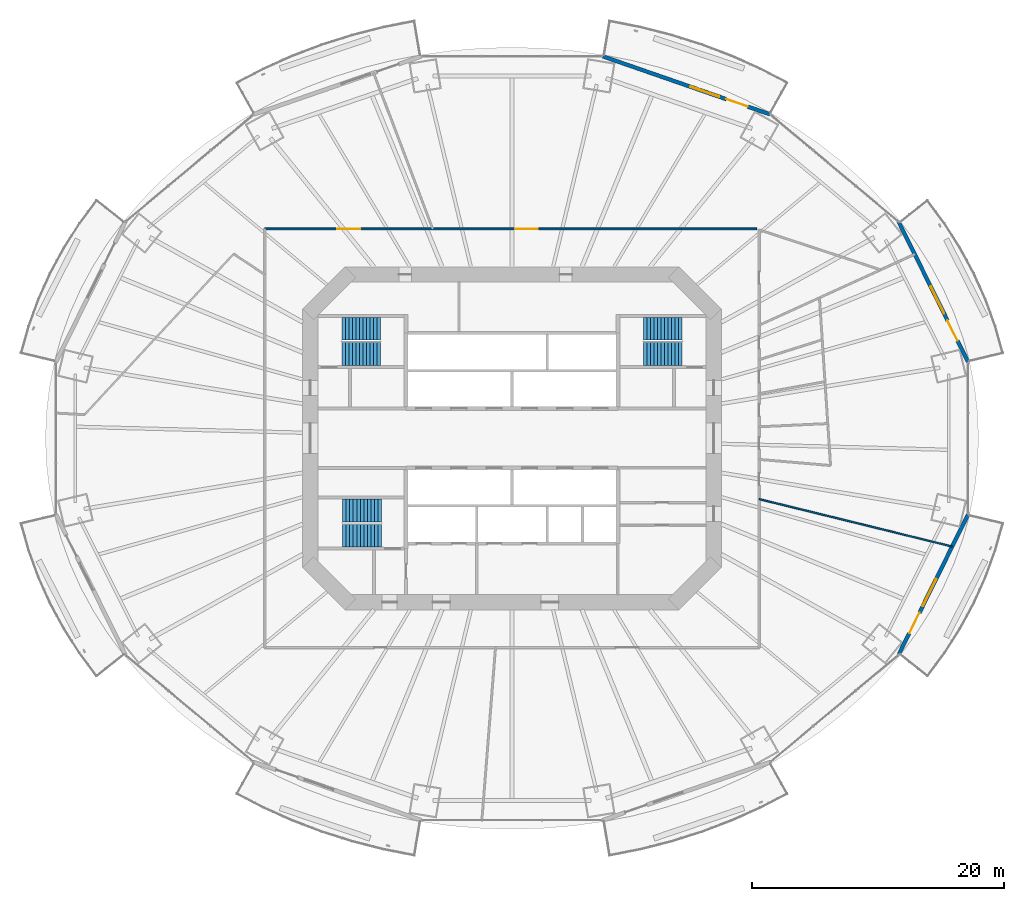
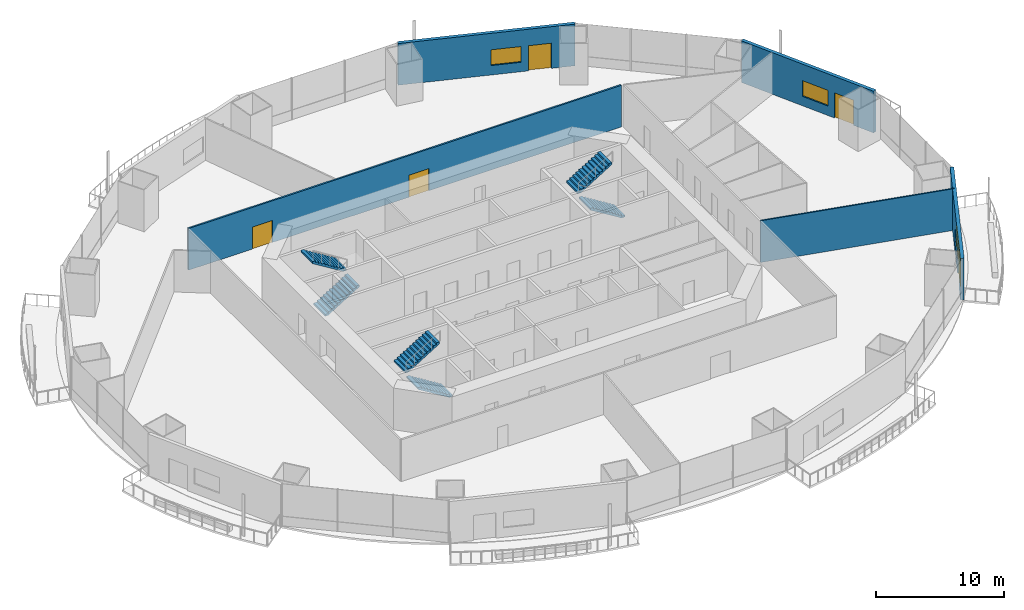
# One storey, part 17 of 23: 6 stair flights, 5 doors, 5 walls, 3 windows, 8 openings, 3 elements without a shape of their own.
"""IFC4 building model written with IfcOpenShell, lengths in metres."""

from ifc_helpers import new_model, si_unit, direction, frame, frame_2d, origin, place, context, subcontext, project, spatial, polyline, rectangle, outline, extrude, material, layer, layer_set, type_object, element, fill, aggregate, save


model = new_model("IFC4")

# Units and contexts
model_context = context("Model", 3, precision=1e-05, world=origin(), true_north=direction((0.0, 1.0)))
body_context = subcontext(model_context, "Body", "Model", "MODEL_VIEW")
ifc_project = project(units=[si_unit("LENGTHUNIT", "METRE"), si_unit("AREAUNIT", "SQUARE_METRE"), si_unit("VOLUMEUNIT", "CUBIC_METRE"), si_unit("PLANEANGLEUNIT", "RADIAN"), si_unit("MASSUNIT", "GRAM", prefix="KILO")], contexts=[model_context])

# Site, building, storey
site_placement = place(None, origin())
site = spatial("IfcSite", under=ifc_project, at=site_placement, CompositionType="ELEMENT")
building_placement = place(site_placement, origin())
building = spatial("IfcBuilding", under=site, at=building_placement, Name="Marenthal Gate Tower", CompositionType="ELEMENT")
storey_placement = place(building_placement, frame((0.0, 0.0, 37.14990234375)))
storey = spatial("IfcBuildingStorey", under=building, at=storey_placement, Name="L05", CompositionType="ELEMENT", Elevation=37.14990234375)

# Wall
ifc_material_1 = material(Name="Gypsum board on steel studs", Category="steel")
ifc_layer_1 = layer(ifc_material_1, 0.1201171875)
ifc_layer_set_1 = layer_set([ifc_layer_1], Name="Partition 120")
wall_type_1 = type_object("IfcWallType", Name="Partition 120", PredefinedType="PARTITIONING", material=ifc_layer_set_1)
wall_1_placement = place(storey_placement, frame((19.60009765625, -4.822265625, 0.0), z_axis=(0.0, 0.0, 1.0), x_axis=(0.971041534545, -0.238910732678, 0.0)))
element("IfcWall", 1, at=wall_1_placement, inside=storey, type_object=wall_type_1, Name="Partition wall 55", PredefinedType="PARTITIONING", context=body_context, shape_type="SweptSolid", body=[
    extrude(rectangle(XDim=15.759521484375, YDim=0.1201171875, at=frame_2d((7.8798828125, 0.0))), origin(), (0.0, 0.0, 1.0), 3.97021484375),
])

# Wall, openings, doors
ifc_material_2 = material(Name="Gypsum board on steel studs", Category="steel")
ifc_layer_2 = layer(ifc_material_2, 0.14990234375)
ifc_layer_set_2 = layer_set([ifc_layer_2], Name="Partition 150")
wall_type_2 = type_object("IfcWallType", Name="Partition 150", PredefinedType="PARTITIONING", material=ifc_layer_set_2)
wall_2_placement = place(storey_placement, frame((-19.60009765625, 16.60009765625, 0.0), z_axis=(0.0, 0.0, 1.0), x_axis=(1.0, 0.0, 0.0)))
wall_2 = element("IfcWall", 2, at=wall_2_placement, inside=storey, type_object=wall_type_2, Name="Partition wall 51", PredefinedType="PARTITIONING", context=body_context, shape_type="SweptSolid", body=[
    extrude(rectangle(XDim=38.995849609375, YDim=0.14990234375, at=frame_2d((19.498046875, 0.0))), origin(), (0.0, 0.0, 1.0), 3.97021484375),
])
opening_1_placement = place(wall_2_placement, frame((19.85693359375, 0.0, 0.0)))
opening_1 = element("IfcOpeningElement", 3, at=opening_1_placement, cuts=wall_2, Name="Opening D014.01", PredefinedType="OPENING", context=body_context, shape_type="SweptSolid", body=[
    extrude(rectangle(XDim=1.800048828125, YDim=2.10009765625, at=frame_2d((0.89990234375, 1.050048828125))), frame((0.0, 0.0849609375, 0.0), z_axis=(0.0, -1.0, 0.0), x_axis=(1.0, 0.0, 0.0)), (0.0, 0.0, 1.0), 0.169921875),
])
opening_2_placement = place(wall_2_placement, frame((5.757080078125, 0.0, 0.0)))
opening_2 = element("IfcOpeningElement", 4, at=opening_2_placement, cuts=wall_2, Name="Opening D014.02", PredefinedType="OPENING", context=body_context, shape_type="SweptSolid", body=[
    extrude(rectangle(XDim=1.800048828125, YDim=2.10009765625, at=frame_2d((0.89990234375, 1.050048828125))), frame((0.0, 0.0849609375, 0.0), z_axis=(0.0, -1.0, 0.0), x_axis=(1.0, 0.0, 0.0)), (0.0, 0.0, 1.0), 0.169921875),
])
ifc_material_3 = material(Name="Timber door", Category="wood")
door_type_1 = type_object("IfcDoorType", Name="Double door 1800 x 2100", OperationType="DOUBLE_DOOR_SINGLE_SWING", PredefinedType="DOOR", material=ifc_material_3)
door_1_placement = place(opening_1_placement, origin())
door_1 = element("IfcDoor", 5, at=door_1_placement, inside=storey, type_object=door_type_1, Name="Door D014.01", OperationType="DOUBLE_DOOR_SINGLE_SWING", OverallHeight=2.10009765625, OverallWidth=1.800048828125, PredefinedType="DOOR", context=body_context, shape_type="SweptSolid", body=[
    extrude(rectangle(XDim=1.800048828125, YDim=2.10009765625, at=frame_2d((0.89990234375, 1.050048828125))), frame((0.0, 0.02490234375, 0.0), z_axis=(0.0, -1.0, 0.0), x_axis=(1.0, 0.0, 0.0)), (0.0, 0.0, 1.0), 0.050048828125),
])
fill(opening_1, door_1)
door_2_placement = place(opening_2_placement, origin())
door_2 = element("IfcDoor", 6, at=door_2_placement, inside=storey, type_object=door_type_1, Name="Door D014.02", OperationType="DOUBLE_DOOR_SINGLE_SWING", OverallHeight=2.10009765625, OverallWidth=1.800048828125, PredefinedType="DOOR", context=body_context, shape_type="SweptSolid", body=[
    extrude(rectangle(XDim=1.800048828125, YDim=2.10009765625, at=frame_2d((0.89990234375, 1.050048828125))), frame((0.0, 0.02490234375, 0.0), z_axis=(0.0, -1.0, 0.0), x_axis=(1.0, 0.0, 0.0)), (0.0, 0.0, 1.0), 0.050048828125),
])
fill(opening_2, door_2)

# Wall, openings, door, window
ifc_material_4 = material(Name="Terracotta cladding on insulated concrete-block backing", Category="masonry")
ifc_layer_3 = layer(ifc_material_4, 0.300048828125)
ifc_layer_set_3 = layer_set([ifc_layer_3], Name="Terracotta facade wall 300")
wall_type_3 = type_object("IfcWallType", Name="Terracotta facade wall 300", PredefinedType="SOLIDWALL", material=ifc_layer_set_3)
wall_3_placement = place(storey_placement, frame((36.17138671875, 6.0244140625, 0.0), z_axis=(0.0, 0.0, 1.0), x_axis=(-0.443411588907, 0.896318114747, 0.0)))
wall_3 = element("IfcWall", 7, at=wall_3_placement, inside=storey, type_object=wall_type_3, Name="Terracotta facade wall L05 bay 1", PredefinedType="SOLIDWALL", context=body_context, shape_type="SweptSolid", body=[
    extrude(rectangle(XDim=12.419189453125, YDim=0.300048828125, at=frame_2d((6.20947265625, 0.0))), origin(), (0.0, 0.0, 1.0), 3.97021484375),
])
opening_3_placement = place(wall_3_placement, frame((1.89990234375, 0.0, 0.0)))
opening_3 = element("IfcOpeningElement", 8, at=opening_3_placement, cuts=wall_3, Name="Opening BD-L05-01", PredefinedType="OPENING", context=body_context, shape_type="SweptSolid", body=[
    extrude(rectangle(XDim=1.800048828125, YDim=2.39990234375, at=frame_2d((0.89990234375, 1.199951171875))), frame((0.0, 0.16015625, 0.0), z_axis=(0.0, -1.0, 0.0), x_axis=(1.0, 0.0, 0.0)), (0.0, 0.0, 1.0), 0.320068359375),
])
opening_4_placement = place(wall_3_placement, frame((4.300048828125, 0.0, 0.89990234375)))
opening_4 = element("IfcOpeningElement", 9, at=opening_4_placement, cuts=wall_3, Name="Opening WN1-L05-01", PredefinedType="OPENING", context=body_context, shape_type="SweptSolid", body=[
    extrude(rectangle(XDim=2.39990234375, YDim=1.5, at=frame_2d((1.199951171875, 0.75))), frame((0.0, 0.16015625, 0.0), z_axis=(0.0, -1.0, 0.0), x_axis=(1.0, 0.0, 0.0)), (0.0, 0.0, 1.0), 0.320068359375),
])
ifc_material_5 = material(Name="Aluminium and glass", Category="aluminium")
door_type_2 = type_object("IfcDoorType", Name="Balcony door 1800x2400", OperationType="DOUBLE_DOOR_SINGLE_SWING", PredefinedType="DOOR", material=ifc_material_5)
door_3_placement = place(opening_3_placement, origin())
door_3 = element("IfcDoor", 10, at=door_3_placement, inside=storey, type_object=door_type_2, Name="Balcony door L05 bay 1", OperationType="SINGLE_SWING_LEFT", OverallHeight=2.39990234375, OverallWidth=1.800048828125, PredefinedType="DOOR", context=body_context, shape_type="SweptSolid", body=[
    extrude(rectangle(XDim=1.800048828125, YDim=2.39990234375, at=frame_2d((0.89990234375, 1.199951171875))), frame((0.0, 0.02490234375, 0.0), z_axis=(0.0, -1.0, 0.0), x_axis=(1.0, 0.0, 0.0)), (0.0, 0.0, 1.0), 0.050048828125),
])
fill(opening_3, door_3)
ifc_material_6 = material(Name="Aluminium and glass", Category="aluminium")
window_type = type_object("IfcWindowType", Name="Window 2400x1500", PartitioningType="TRIPLE_PANEL_VERTICAL", PredefinedType="WINDOW", material=ifc_material_6)
window_1_placement = place(opening_4_placement, origin())
window_1 = element("IfcWindow", 11, at=window_1_placement, inside=storey, type_object=window_type, Name="Window L05 bay 1", OverallHeight=1.5, OverallWidth=2.39990234375, PartitioningType="SINGLE_PANEL", PredefinedType="WINDOW", context=body_context, shape_type="SweptSolid", body=[
    extrude(rectangle(XDim=2.39990234375, YDim=1.5, at=frame_2d((1.199951171875, 0.75))), frame((0.0, 0.030029296875, 0.0), z_axis=(0.0, -1.0, 0.0), x_axis=(1.0, 0.0, 0.0)), (0.0, 0.0, 1.0), 0.06005859375),
])
fill(opening_4, window_1)

wall_4_placement = place(storey_placement, frame((20.489501953125, 25.67578125, 0.0), z_axis=(0.0, 0.0, 1.0), x_axis=(-0.944791803015, 0.327671251341, 0.0)))
wall_4 = element("IfcWall", 12, at=wall_4_placement, inside=storey, type_object=wall_type_3, Name="Terracotta facade wall L05 bay 3", PredefinedType="SOLIDWALL", context=body_context, shape_type="SweptSolid", body=[
    extrude(rectangle(XDim=14.071533203125, YDim=0.300048828125, at=frame_2d((7.03564453125, 0.0))), origin(), (0.0, 0.0, 1.0), 3.97021484375),
])
opening_5_placement = place(wall_4_placement, frame((1.89990234375, 0.0, 0.0)))
opening_5 = element("IfcOpeningElement", 13, at=opening_5_placement, cuts=wall_4, Name="Opening BD-L05-03", PredefinedType="OPENING", context=body_context, shape_type="SweptSolid", body=[
    extrude(rectangle(XDim=1.800048828125, YDim=2.39990234375, at=frame_2d((0.89990234375, 1.199951171875))), frame((0.0, 0.16015625, 0.0), z_axis=(0.0, -1.0, 0.0), x_axis=(1.0, 0.0, 0.0)), (0.0, 0.0, 1.0), 0.320068359375),
])
opening_6_placement = place(wall_4_placement, frame((4.300048828125, 0.0, 0.89990234375)))
opening_6 = element("IfcOpeningElement", 14, at=opening_6_placement, cuts=wall_4, Name="Opening WN1-L05-03", PredefinedType="OPENING", context=body_context, shape_type="SweptSolid", body=[
    extrude(rectangle(XDim=2.39990234375, YDim=1.5, at=frame_2d((1.199951171875, 0.75))), frame((0.0, 0.16015625, 0.0), z_axis=(0.0, -1.0, 0.0), x_axis=(1.0, 0.0, 0.0)), (0.0, 0.0, 1.0), 0.320068359375),
])
door_4_placement = place(opening_5_placement, origin())
door_4 = element("IfcDoor", 15, at=door_4_placement, inside=storey, type_object=door_type_2, Name="Balcony door L05 bay 3", OperationType="SINGLE_SWING_LEFT", OverallHeight=2.39990234375, OverallWidth=1.800048828125, PredefinedType="DOOR", context=body_context, shape_type="SweptSolid", body=[
    extrude(rectangle(XDim=1.800048828125, YDim=2.39990234375, at=frame_2d((0.89990234375, 1.199951171875))), frame((0.0, 0.02490234375, 0.0), z_axis=(0.0, -1.0, 0.0), x_axis=(1.0, 0.0, 0.0)), (0.0, 0.0, 1.0), 0.050048828125),
])
fill(opening_5, door_4)
window_2_placement = place(opening_6_placement, origin())
window_2 = element("IfcWindow", 16, at=window_2_placement, inside=storey, type_object=window_type, Name="Window L05 bay 3", OverallHeight=1.5, OverallWidth=2.39990234375, PartitioningType="SINGLE_PANEL", PredefinedType="WINDOW", context=body_context, shape_type="SweptSolid", body=[
    extrude(rectangle(XDim=2.39990234375, YDim=1.5, at=frame_2d((1.199951171875, 0.75))), frame((0.0, 0.030029296875, 0.0), z_axis=(0.0, -1.0, 0.0), x_axis=(1.0, 0.0, 0.0)), (0.0, 0.0, 1.0), 0.06005859375),
])
fill(opening_6, window_2)

wall_5_placement = place(storey_placement, frame((30.66455078125, -17.156005859375, 0.0), z_axis=(0.0, 0.0, 1.0), x_axis=(0.443411588907, 0.896318114747, 0.0)))
wall_5 = element("IfcWall", 17, at=wall_5_placement, inside=storey, type_object=wall_type_3, Name="Terracotta facade wall L05 bay 15", PredefinedType="SOLIDWALL", context=body_context, shape_type="SweptSolid", body=[
    extrude(rectangle(XDim=12.419189453125, YDim=0.300048828125, at=frame_2d((6.20947265625, 0.0))), origin(), (0.0, 0.0, 1.0), 3.97021484375),
])
opening_7_placement = place(wall_5_placement, frame((1.89990234375, 0.0, 0.0)))
opening_7 = element("IfcOpeningElement", 18, at=opening_7_placement, cuts=wall_5, Name="Opening BD-L05-15", PredefinedType="OPENING", context=body_context, shape_type="SweptSolid", body=[
    extrude(rectangle(XDim=1.800048828125, YDim=2.39990234375, at=frame_2d((0.89990234375, 1.199951171875))), frame((0.0, 0.16015625, 0.0), z_axis=(0.0, -1.0, 0.0), x_axis=(1.0, 0.0, 0.0)), (0.0, 0.0, 1.0), 0.320068359375),
])
opening_8_placement = place(wall_5_placement, frame((4.300048828125, 0.0, 0.89990234375)))
opening_8 = element("IfcOpeningElement", 19, at=opening_8_placement, cuts=wall_5, Name="Opening WN1-L05-15", PredefinedType="OPENING", context=body_context, shape_type="SweptSolid", body=[
    extrude(rectangle(XDim=2.39990234375, YDim=1.5, at=frame_2d((1.199951171875, 0.75))), frame((0.0, 0.16015625, 0.0), z_axis=(0.0, -1.0, 0.0), x_axis=(1.0, 0.0, 0.0)), (0.0, 0.0, 1.0), 0.320068359375),
])
door_5_placement = place(opening_7_placement, origin())
door_5 = element("IfcDoor", 20, at=door_5_placement, inside=storey, type_object=door_type_2, Name="Balcony door L05 bay 15", OperationType="SINGLE_SWING_LEFT", OverallHeight=2.39990234375, OverallWidth=1.800048828125, PredefinedType="DOOR", context=body_context, shape_type="SweptSolid", body=[
    extrude(rectangle(XDim=1.800048828125, YDim=2.39990234375, at=frame_2d((0.89990234375, 1.199951171875))), frame((0.0, 0.02490234375, 0.0), z_axis=(0.0, -1.0, 0.0), x_axis=(1.0, 0.0, 0.0)), (0.0, 0.0, 1.0), 0.050048828125),
])
fill(opening_7, door_5)
window_3_placement = place(opening_8_placement, origin())
window_3 = element("IfcWindow", 21, at=window_3_placement, inside=storey, type_object=window_type, Name="Window L05 bay 15", OverallHeight=1.5, OverallWidth=2.39990234375, PartitioningType="SINGLE_PANEL", PredefinedType="WINDOW", context=body_context, shape_type="SweptSolid", body=[
    extrude(rectangle(XDim=2.39990234375, YDim=1.5, at=frame_2d((1.199951171875, 0.75))), frame((0.0, 0.030029296875, 0.0), z_axis=(0.0, -1.0, 0.0), x_axis=(1.0, 0.0, 0.0)), (0.0, 0.0, 1.0), 0.06005859375),
])
fill(opening_8, window_3)

# Stair, stair flights
ifc_material_7 = material(Name="Concrete 40 MPa", Category="concrete")
stair_type = type_object("IfcStairType", Name="Exit stair 1800", PredefinedType="HALF_TURN_STAIR", material=ifc_material_7)
stair_1_placement = place(storey_placement, origin())
stair_1 = element("IfcStair", 22, at=stair_1_placement, inside=storey, type_object=stair_type, Name="Stair ST1", PredefinedType="HALF_TURN_STAIR")
ifc_material_8 = material(Name="Concrete 40 MPa", Category="concrete")
stair_flight_type = type_object("IfcStairFlightType", Name="Stair flight 1800", PredefinedType="STRAIGHT", material=ifc_material_8)
stair_flight_1_placement = place(storey_placement, frame((-13.5, 6.675048828125, 0.0), z_axis=(0.0, 0.0, 1.0), x_axis=(1.0, 0.0, 0.0)))
stair_flight_1 = element("IfcStairFlight", 23, at=stair_flight_1_placement, type_object=stair_flight_type, Name="ST1 flight 1", NumberOfRisers=12, NumberOfTreads=11, PredefinedType="STRAIGHT", RiserHeight=0.172916667, TreadLength=0.28, context=body_context, shape_type="SweptSolid", body=[
    extrude(outline(polyline([(0.0, 0.0), (0.0, 0.1728515625), (0.280029296875, 0.1728515625), (0.280029296875, 0.345947265625), (0.56005859375, 0.345947265625), (0.56005859375, 0.518798828125), (0.840087890625, 0.518798828125), (0.840087890625, 0.691650390625), (1.1201171875, 0.691650390625), (1.1201171875, 0.864501953125), (1.39990234375, 0.864501953125), (1.39990234375, 1.03759765625), (1.679931640625, 1.03759765625), (1.679931640625, 1.21044921875), (1.9599609375, 1.21044921875), (1.9599609375, 1.38330078125), (2.239990234375, 1.38330078125), (2.239990234375, 1.55615234375), (2.52001953125, 1.55615234375), (2.52001953125, 1.729248046875), (2.800048828125, 1.729248046875), (2.800048828125, 1.902099609375), (3.080078125, 1.902099609375), (3.080078125, 2.074951171875), (3.080078125, 1.725830078125), (0.285400390625, 0.0), (0.0, 0.0)])), frame((0.0, 0.89990234375, 0.0), z_axis=(0.0, -1.0, 0.0), x_axis=(1.0, 0.0, 0.0)), (0.0, 0.0, 1.0), 1.800048828125),
])
stair_flight_2_placement = place(storey_placement, frame((-10.419921875, 8.675048828125, 2.0751953125), z_axis=(0.0, 0.0, 1.0), x_axis=(-1.0, 0.0, 0.0)))
stair_flight_2 = element("IfcStairFlight", 24, at=stair_flight_2_placement, type_object=stair_flight_type, Name="ST1 flight 2", NumberOfRisers=12, NumberOfTreads=11, PredefinedType="STRAIGHT", RiserHeight=0.172916667, TreadLength=0.28, context=body_context, shape_type="SweptSolid", body=[
    extrude(outline(polyline([(0.0, 0.0), (0.0, 0.1728515625), (0.280029296875, 0.1728515625), (0.280029296875, 0.345947265625), (0.56005859375, 0.345947265625), (0.56005859375, 0.518798828125), (0.840087890625, 0.518798828125), (0.840087890625, 0.691650390625), (1.1201171875, 0.691650390625), (1.1201171875, 0.864501953125), (1.39990234375, 0.864501953125), (1.39990234375, 1.03759765625), (1.679931640625, 1.03759765625), (1.679931640625, 1.21044921875), (1.9599609375, 1.21044921875), (1.9599609375, 1.38330078125), (2.239990234375, 1.38330078125), (2.239990234375, 1.55615234375), (2.52001953125, 1.55615234375), (2.52001953125, 1.729248046875), (2.800048828125, 1.729248046875), (2.800048828125, 1.902099609375), (3.080078125, 1.902099609375), (3.080078125, 2.074951171875), (3.080078125, 1.725830078125), (0.285400390625, 0.0), (0.0, 0.0)])), frame((0.0, 0.89990234375, 0.0), z_axis=(0.0, -1.0, 0.0), x_axis=(1.0, 0.0, 0.0)), (0.0, 0.0, 1.0), 1.800048828125),
])
aggregate(stair_1, [stair_flight_1, stair_flight_2])

stair_2_placement = place(storey_placement, origin())
stair_2 = element("IfcStair", 25, at=stair_2_placement, inside=storey, type_object=stair_type, Name="Stair ST2", PredefinedType="HALF_TURN_STAIR")
stair_flight_3_placement = place(storey_placement, frame((-10.35009765625, -7.72509765625, 0.0), z_axis=(0.0, 0.0, 1.0), x_axis=(-1.0, 0.0, 0.0)))
stair_flight_3 = element("IfcStairFlight", 26, at=stair_flight_3_placement, type_object=stair_flight_type, Name="ST2 flight 1", NumberOfRisers=12, NumberOfTreads=11, PredefinedType="STRAIGHT", RiserHeight=0.172916667, TreadLength=0.28, context=body_context, shape_type="SweptSolid", body=[
    extrude(outline(polyline([(0.0, 0.0), (0.0, 0.1728515625), (0.280029296875, 0.1728515625), (0.280029296875, 0.345947265625), (0.56005859375, 0.345947265625), (0.56005859375, 0.518798828125), (0.840087890625, 0.518798828125), (0.840087890625, 0.691650390625), (1.1201171875, 0.691650390625), (1.1201171875, 0.864501953125), (1.39990234375, 0.864501953125), (1.39990234375, 1.03759765625), (1.679931640625, 1.03759765625), (1.679931640625, 1.21044921875), (1.9599609375, 1.21044921875), (1.9599609375, 1.38330078125), (2.239990234375, 1.38330078125), (2.239990234375, 1.55615234375), (2.52001953125, 1.55615234375), (2.52001953125, 1.729248046875), (2.800048828125, 1.729248046875), (2.800048828125, 1.902099609375), (3.080078125, 1.902099609375), (3.080078125, 2.074951171875), (3.080078125, 1.725830078125), (0.285400390625, 0.0), (0.0, 0.0)])), frame((0.0, 0.89990234375, 0.0), z_axis=(0.0, -1.0, 0.0), x_axis=(1.0, 0.0, 0.0)), (0.0, 0.0, 1.0), 1.800048828125),
])
stair_flight_4_placement = place(storey_placement, frame((-13.429931640625, -5.72509765625, 2.0751953125), z_axis=(0.0, 0.0, 1.0), x_axis=(1.0, 0.0, 0.0)))
stair_flight_4 = element("IfcStairFlight", 27, at=stair_flight_4_placement, type_object=stair_flight_type, Name="ST2 flight 2", NumberOfRisers=12, NumberOfTreads=11, PredefinedType="STRAIGHT", RiserHeight=0.172916667, TreadLength=0.28, context=body_context, shape_type="SweptSolid", body=[
    extrude(outline(polyline([(0.0, 0.0), (0.0, 0.1728515625), (0.280029296875, 0.1728515625), (0.280029296875, 0.345947265625), (0.56005859375, 0.345947265625), (0.56005859375, 0.518798828125), (0.840087890625, 0.518798828125), (0.840087890625, 0.691650390625), (1.1201171875, 0.691650390625), (1.1201171875, 0.864501953125), (1.39990234375, 0.864501953125), (1.39990234375, 1.03759765625), (1.679931640625, 1.03759765625), (1.679931640625, 1.21044921875), (1.9599609375, 1.21044921875), (1.9599609375, 1.38330078125), (2.239990234375, 1.38330078125), (2.239990234375, 1.55615234375), (2.52001953125, 1.55615234375), (2.52001953125, 1.729248046875), (2.800048828125, 1.729248046875), (2.800048828125, 1.902099609375), (3.080078125, 1.902099609375), (3.080078125, 2.074951171875), (3.080078125, 1.725830078125), (0.285400390625, 0.0), (0.0, 0.0)])), frame((0.0, 0.89990234375, 0.0), z_axis=(0.0, -1.0, 0.0), x_axis=(1.0, 0.0, 0.0)), (0.0, 0.0, 1.0), 1.800048828125),
])
aggregate(stair_2, [stair_flight_3, stair_flight_4])

stair_3_placement = place(storey_placement, origin())
stair_3 = element("IfcStair", 28, at=stair_3_placement, inside=storey, type_object=stair_type, Name="Stair ST3", PredefinedType="HALF_TURN_STAIR")
stair_flight_5_placement = place(storey_placement, frame((13.5, 6.675048828125, 0.0), z_axis=(0.0, 0.0, 1.0), x_axis=(-1.0, 0.0, 0.0)))
stair_flight_5 = element("IfcStairFlight", 29, at=stair_flight_5_placement, type_object=stair_flight_type, Name="ST3 flight 1", NumberOfRisers=12, NumberOfTreads=11, PredefinedType="STRAIGHT", RiserHeight=0.172916667, TreadLength=0.28, context=body_context, shape_type="SweptSolid", body=[
    extrude(outline(polyline([(0.0, 0.0), (0.0, 0.1728515625), (0.280029296875, 0.1728515625), (0.280029296875, 0.345947265625), (0.56005859375, 0.345947265625), (0.56005859375, 0.518798828125), (0.840087890625, 0.518798828125), (0.840087890625, 0.691650390625), (1.1201171875, 0.691650390625), (1.1201171875, 0.864501953125), (1.39990234375, 0.864501953125), (1.39990234375, 1.03759765625), (1.679931640625, 1.03759765625), (1.679931640625, 1.21044921875), (1.9599609375, 1.21044921875), (1.9599609375, 1.38330078125), (2.239990234375, 1.38330078125), (2.239990234375, 1.55615234375), (2.52001953125, 1.55615234375), (2.52001953125, 1.729248046875), (2.800048828125, 1.729248046875), (2.800048828125, 1.902099609375), (3.080078125, 1.902099609375), (3.080078125, 2.074951171875), (3.080078125, 1.725830078125), (0.285400390625, 0.0), (0.0, 0.0)])), frame((0.0, 0.89990234375, 0.0), z_axis=(0.0, -1.0, 0.0), x_axis=(1.0, 0.0, 0.0)), (0.0, 0.0, 1.0), 1.800048828125),
])
stair_flight_6_placement = place(storey_placement, frame((10.419921875, 8.675048828125, 2.0751953125), z_axis=(0.0, 0.0, 1.0), x_axis=(1.0, 0.0, 0.0)))
stair_flight_6 = element("IfcStairFlight", 30, at=stair_flight_6_placement, type_object=stair_flight_type, Name="ST3 flight 2", NumberOfRisers=12, NumberOfTreads=11, PredefinedType="STRAIGHT", RiserHeight=0.172916667, TreadLength=0.28, context=body_context, shape_type="SweptSolid", body=[
    extrude(outline(polyline([(0.0, 0.0), (0.0, 0.1728515625), (0.280029296875, 0.1728515625), (0.280029296875, 0.345947265625), (0.56005859375, 0.345947265625), (0.56005859375, 0.518798828125), (0.840087890625, 0.518798828125), (0.840087890625, 0.691650390625), (1.1201171875, 0.691650390625), (1.1201171875, 0.864501953125), (1.39990234375, 0.864501953125), (1.39990234375, 1.03759765625), (1.679931640625, 1.03759765625), (1.679931640625, 1.21044921875), (1.9599609375, 1.21044921875), (1.9599609375, 1.38330078125), (2.239990234375, 1.38330078125), (2.239990234375, 1.55615234375), (2.52001953125, 1.55615234375), (2.52001953125, 1.729248046875), (2.800048828125, 1.729248046875), (2.800048828125, 1.902099609375), (3.080078125, 1.902099609375), (3.080078125, 2.074951171875), (3.080078125, 1.725830078125), (0.285400390625, 0.0), (0.0, 0.0)])), frame((0.0, 0.89990234375, 0.0), z_axis=(0.0, -1.0, 0.0), x_axis=(1.0, 0.0, 0.0)), (0.0, 0.0, 1.0), 1.800048828125),
])
aggregate(stair_3, [stair_flight_5, stair_flight_6])

save(model, "model.ifc")
